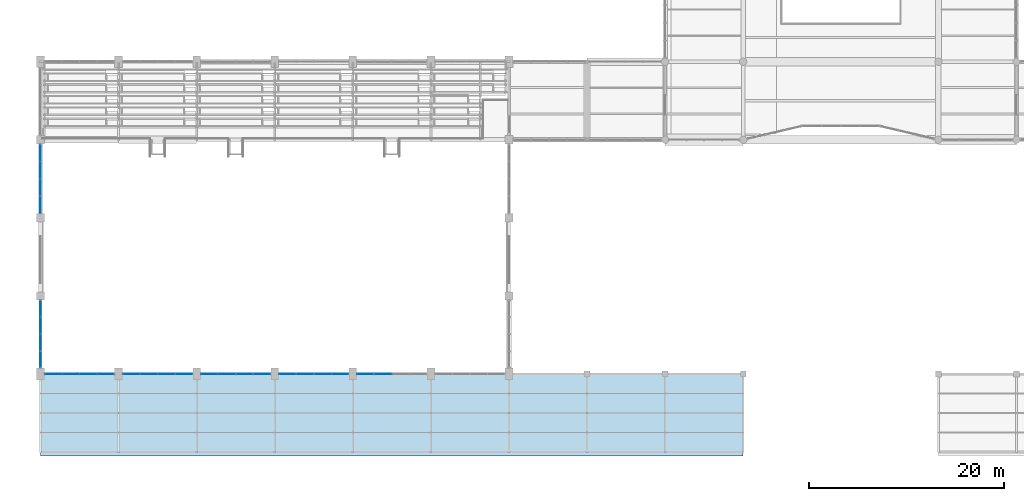
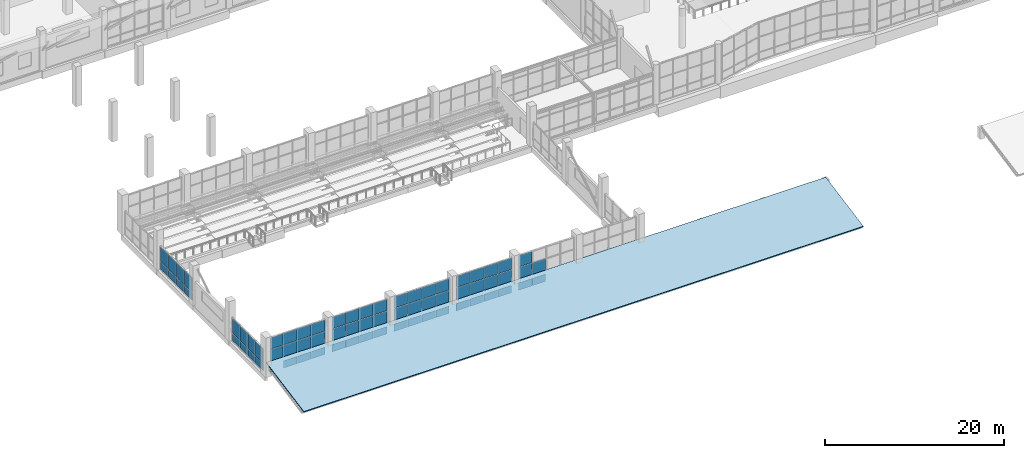
# One storey, part 70 of 122: 69 plates, 1 slab, 7 elements without a shape of their own.
"""IFC4 building model written with IfcOpenShell, lengths in metres."""

from ifc_helpers import new_model, si_unit, direction, frame, origin, origin_2d, place, context, subcontext, project, spatial, polyline, rectangle, outline, extrude, material, layer, layer_set, type_object, element, aggregate, save


model = new_model("IFC4")

# Units and contexts
model_context = context("Model", 3, precision=1e-05, world=origin(), true_north=direction((0.0, 1.0)))
body_context = subcontext(model_context, "Body", "Model", "MODEL_VIEW")
ifc_project = project(units=[si_unit("LENGTHUNIT", "METRE"), si_unit("AREAUNIT", "SQUARE_METRE"), si_unit("VOLUMEUNIT", "CUBIC_METRE"), si_unit("PLANEANGLEUNIT", "RADIAN"), si_unit("MASSUNIT", "GRAM", prefix="KILO")], contexts=[model_context])

# Site, building, storey
site_placement = place(None, origin())
site = spatial("IfcSite", under=ifc_project, at=site_placement, CompositionType="ELEMENT")
building_placement = place(site_placement, origin())
building = spatial("IfcBuilding", under=site, at=building_placement, Name="Tenunan Teduh Sports Hall", CompositionType="ELEMENT")
storey_placement = place(building_placement, frame((0.0, 0.0, 5.39990234375)))
storey = spatial("IfcBuildingStorey", under=building, at=storey_placement, Name="L01", CompositionType="ELEMENT", Elevation=5.39990234375)

# Curtain wall, plates
ifc_material_1 = material(Name="Anodised aluminium", Category="aluminium")
curtain_wall_type = type_object("IfcCurtainWallType", Name="CW-UNIT-1", PredefinedType="NOTDEFINED", material=ifc_material_1)
curtain_wall_1_placement = place(storey_placement, origin())
curtain_wall_1 = element("IfcCurtainWall", 1, at=curtain_wall_1_placement, inside=storey, type_object=curtain_wall_type, Name="CW-CWM-200-L01-040", PredefinedType="NOTDEFINED")
ifc_material_2 = material(Name="Low-E laminated double glazing", Category="glass")
ifc_layer_1 = layer(ifc_material_2, 0.028076171875)
ifc_layer_set_1 = layer_set([ifc_layer_1], Name="Low-E laminated double glazing")
plate_type_1 = type_object("IfcPlateType", Name="CWP-GLZ-28", PredefinedType="CURTAIN_PANEL", material=ifc_layer_set_1)
plate_1_placement = place(storey_placement, frame((7.3173828125, 14.0, 1.13525390625), z_axis=(0.0, 0.0, 1.0), x_axis=(1.0, 0.0, 0.0)))
plate_1 = element("IfcPlate", 2, at=plate_1_placement, type_object=plate_type_1, Name="CW-01 panel 1.2", PredefinedType="CURTAIN_PANEL", context=body_context, shape_type="SweptSolid", body=[
    extrude(rectangle(XDim=1.695068359375, YDim=0.028076171875, at=origin_2d()), origin(), (0.0, 0.0, 1.0), 2.030029296875),
])
plate_2_placement = place(storey_placement, frame((7.3173828125, 14.0, 3.235107421875), z_axis=(0.0, 0.0, 1.0), x_axis=(1.0, 0.0, 0.0)))
plate_2 = element("IfcPlate", 3, at=plate_2_placement, type_object=plate_type_1, Name="CW-01 panel 1.3", PredefinedType="CURTAIN_PANEL", context=body_context, shape_type="SweptSolid", body=[
    extrude(rectangle(XDim=1.695068359375, YDim=0.028076171875, at=origin_2d()), origin(), (0.0, 0.0, 1.0), 1.544921875),
])
plate_3_placement = place(storey_placement, frame((9.10009765625, 14.0, 1.13525390625), z_axis=(0.0, 0.0, 1.0), x_axis=(1.0, 0.0, 0.0)))
plate_3 = element("IfcPlate", 4, at=plate_3_placement, type_object=plate_type_1, Name="CW-01 panel 2.2", PredefinedType="CURTAIN_PANEL", context=body_context, shape_type="SweptSolid", body=[
    extrude(rectangle(XDim=1.72998046875, YDim=0.028076171875, at=origin_2d()), origin(), (0.0, 0.0, 1.0), 2.030029296875),
])
plate_4_placement = place(storey_placement, frame((9.10009765625, 14.0, 3.235107421875), z_axis=(0.0, 0.0, 1.0), x_axis=(1.0, 0.0, 0.0)))
plate_4 = element("IfcPlate", 5, at=plate_4_placement, type_object=plate_type_1, Name="CW-01 panel 2.3", PredefinedType="CURTAIN_PANEL", context=body_context, shape_type="SweptSolid", body=[
    extrude(rectangle(XDim=1.72998046875, YDim=0.028076171875, at=origin_2d()), origin(), (0.0, 0.0, 1.0), 1.544921875),
])
plate_5_placement = place(storey_placement, frame((10.89990234375, 14.0, 1.13525390625), z_axis=(0.0, 0.0, 1.0), x_axis=(1.0, 0.0, 0.0)))
plate_5 = element("IfcPlate", 6, at=plate_5_placement, type_object=plate_type_1, Name="CW-01 panel 3.2", PredefinedType="CURTAIN_PANEL", context=body_context, shape_type="SweptSolid", body=[
    extrude(rectangle(XDim=1.72998046875, YDim=0.028076171875, at=origin_2d()), origin(), (0.0, 0.0, 1.0), 2.030029296875),
])
plate_6_placement = place(storey_placement, frame((10.89990234375, 14.0, 3.235107421875), z_axis=(0.0, 0.0, 1.0), x_axis=(1.0, 0.0, 0.0)))
plate_6 = element("IfcPlate", 7, at=plate_6_placement, type_object=plate_type_1, Name="CW-01 panel 3.3", PredefinedType="CURTAIN_PANEL", context=body_context, shape_type="SweptSolid", body=[
    extrude(rectangle(XDim=1.72998046875, YDim=0.028076171875, at=origin_2d()), origin(), (0.0, 0.0, 1.0), 1.544921875),
])
plate_7_placement = place(storey_placement, frame((12.6826171875, 14.0, 1.13525390625), z_axis=(0.0, 0.0, 1.0), x_axis=(1.0, 0.0, 0.0)))
plate_7 = element("IfcPlate", 8, at=plate_7_placement, type_object=plate_type_1, Name="CW-01 panel 4.2", PredefinedType="CURTAIN_PANEL", context=body_context, shape_type="SweptSolid", body=[
    extrude(rectangle(XDim=1.695068359375, YDim=0.028076171875, at=origin_2d()), origin(), (0.0, 0.0, 1.0), 2.030029296875),
])
plate_8_placement = place(storey_placement, frame((12.6826171875, 14.0, 3.235107421875), z_axis=(0.0, 0.0, 1.0), x_axis=(1.0, 0.0, 0.0)))
plate_8 = element("IfcPlate", 9, at=plate_8_placement, type_object=plate_type_1, Name="CW-01 panel 4.3", PredefinedType="CURTAIN_PANEL", context=body_context, shape_type="SweptSolid", body=[
    extrude(rectangle(XDim=1.695068359375, YDim=0.028076171875, at=origin_2d()), origin(), (0.0, 0.0, 1.0), 1.544921875),
])

curtain_wall_2_placement = place(storey_placement, origin())
curtain_wall_2 = element("IfcCurtainWall", 10, at=curtain_wall_2_placement, inside=storey, type_object=curtain_wall_type, Name="CW-CWM-175-L01-042", PredefinedType="NOTDEFINED")
plate_9_placement = place(storey_placement, frame((15.316162109375, 14.0, 1.1328125), z_axis=(0.0, 0.0, 1.0), x_axis=(1.0, 0.0, 0.0)))
plate_9 = element("IfcPlate", 11, at=plate_9_placement, type_object=plate_type_1, Name="CW-01 panel 1.2", PredefinedType="CURTAIN_PANEL", context=body_context, shape_type="SweptSolid", body=[
    extrude(rectangle(XDim=1.702392578125, YDim=0.028076171875, at=origin_2d()), origin(), (0.0, 0.0, 1.0), 2.034912109375),
])
plate_10_placement = place(storey_placement, frame((15.316162109375, 14.0, 3.232421875), z_axis=(0.0, 0.0, 1.0), x_axis=(1.0, 0.0, 0.0)))
plate_10 = element("IfcPlate", 12, at=plate_10_placement, type_object=plate_type_1, Name="CW-01 panel 1.3", PredefinedType="CURTAIN_PANEL", context=body_context, shape_type="SweptSolid", body=[
    extrude(rectangle(XDim=1.702392578125, YDim=0.028076171875, at=origin_2d()), origin(), (0.0, 0.0, 1.0), 1.552490234375),
])
plate_11_placement = place(storey_placement, frame((17.10009765625, 14.0, 1.1328125), z_axis=(0.0, 0.0, 1.0), x_axis=(1.0, 0.0, 0.0)))
plate_11 = element("IfcPlate", 13, at=plate_11_placement, type_object=plate_type_1, Name="CW-01 panel 2.2", PredefinedType="CURTAIN_PANEL", context=body_context, shape_type="SweptSolid", body=[
    extrude(rectangle(XDim=1.735107421875, YDim=0.028076171875, at=origin_2d()), origin(), (0.0, 0.0, 1.0), 2.034912109375),
])
plate_12_placement = place(storey_placement, frame((17.10009765625, 14.0, 3.232421875), z_axis=(0.0, 0.0, 1.0), x_axis=(1.0, 0.0, 0.0)))
plate_12 = element("IfcPlate", 14, at=plate_12_placement, type_object=plate_type_1, Name="CW-01 panel 2.3", PredefinedType="CURTAIN_PANEL", context=body_context, shape_type="SweptSolid", body=[
    extrude(rectangle(XDim=1.735107421875, YDim=0.028076171875, at=origin_2d()), origin(), (0.0, 0.0, 1.0), 1.552490234375),
])
plate_13_placement = place(storey_placement, frame((18.89990234375, 14.0, 1.1328125), z_axis=(0.0, 0.0, 1.0), x_axis=(1.0, 0.0, 0.0)))
plate_13 = element("IfcPlate", 15, at=plate_13_placement, type_object=plate_type_1, Name="CW-01 panel 3.2", PredefinedType="CURTAIN_PANEL", context=body_context, shape_type="SweptSolid", body=[
    extrude(rectangle(XDim=1.735107421875, YDim=0.028076171875, at=origin_2d()), origin(), (0.0, 0.0, 1.0), 2.034912109375),
])
plate_14_placement = place(storey_placement, frame((18.89990234375, 14.0, 3.232421875), z_axis=(0.0, 0.0, 1.0), x_axis=(1.0, 0.0, 0.0)))
plate_14 = element("IfcPlate", 16, at=plate_14_placement, type_object=plate_type_1, Name="CW-01 panel 3.3", PredefinedType="CURTAIN_PANEL", context=body_context, shape_type="SweptSolid", body=[
    extrude(rectangle(XDim=1.735107421875, YDim=0.028076171875, at=origin_2d()), origin(), (0.0, 0.0, 1.0), 1.552490234375),
])
plate_15_placement = place(storey_placement, frame((20.683837890625, 14.0, 1.1328125), z_axis=(0.0, 0.0, 1.0), x_axis=(1.0, 0.0, 0.0)))
plate_15 = element("IfcPlate", 17, at=plate_15_placement, type_object=plate_type_1, Name="CW-01 panel 4.2", PredefinedType="CURTAIN_PANEL", context=body_context, shape_type="SweptSolid", body=[
    extrude(rectangle(XDim=1.702392578125, YDim=0.028076171875, at=origin_2d()), origin(), (0.0, 0.0, 1.0), 2.034912109375),
])
plate_16_placement = place(storey_placement, frame((20.683837890625, 14.0, 3.232421875), z_axis=(0.0, 0.0, 1.0), x_axis=(1.0, 0.0, 0.0)))
plate_16 = element("IfcPlate", 18, at=plate_16_placement, type_object=plate_type_1, Name="CW-01 panel 4.3", PredefinedType="CURTAIN_PANEL", context=body_context, shape_type="SweptSolid", body=[
    extrude(rectangle(XDim=1.702392578125, YDim=0.028076171875, at=origin_2d()), origin(), (0.0, 0.0, 1.0), 1.552490234375),
])

curtain_wall_3_placement = place(storey_placement, origin())
curtain_wall_3 = element("IfcCurtainWall", 19, at=curtain_wall_3_placement, inside=storey, type_object=curtain_wall_type, Name="CW-CWM-200-L01-044", PredefinedType="NOTDEFINED")
plate_17_placement = place(storey_placement, frame((23.3173828125, 14.0, 1.13525390625), z_axis=(0.0, 0.0, 1.0), x_axis=(1.0, 0.0, 0.0)))
plate_17 = element("IfcPlate", 20, at=plate_17_placement, type_object=plate_type_1, Name="CW-01 panel 1.2", PredefinedType="CURTAIN_PANEL", context=body_context, shape_type="SweptSolid", body=[
    extrude(rectangle(XDim=1.695068359375, YDim=0.028076171875, at=origin_2d()), origin(), (0.0, 0.0, 1.0), 2.030029296875),
])
plate_18_placement = place(storey_placement, frame((23.3173828125, 14.0, 3.235107421875), z_axis=(0.0, 0.0, 1.0), x_axis=(1.0, 0.0, 0.0)))
plate_18 = element("IfcPlate", 21, at=plate_18_placement, type_object=plate_type_1, Name="CW-01 panel 1.3", PredefinedType="CURTAIN_PANEL", context=body_context, shape_type="SweptSolid", body=[
    extrude(rectangle(XDim=1.695068359375, YDim=0.028076171875, at=origin_2d()), origin(), (0.0, 0.0, 1.0), 1.544921875),
])
plate_19_placement = place(storey_placement, frame((25.10009765625, 14.0, 1.13525390625), z_axis=(0.0, 0.0, 1.0), x_axis=(1.0, 0.0, 0.0)))
plate_19 = element("IfcPlate", 22, at=plate_19_placement, type_object=plate_type_1, Name="CW-01 panel 2.2", PredefinedType="CURTAIN_PANEL", context=body_context, shape_type="SweptSolid", body=[
    extrude(rectangle(XDim=1.72998046875, YDim=0.028076171875, at=origin_2d()), origin(), (0.0, 0.0, 1.0), 2.030029296875),
])
plate_20_placement = place(storey_placement, frame((25.10009765625, 14.0, 3.235107421875), z_axis=(0.0, 0.0, 1.0), x_axis=(1.0, 0.0, 0.0)))
plate_20 = element("IfcPlate", 23, at=plate_20_placement, type_object=plate_type_1, Name="CW-01 panel 2.3", PredefinedType="CURTAIN_PANEL", context=body_context, shape_type="SweptSolid", body=[
    extrude(rectangle(XDim=1.72998046875, YDim=0.028076171875, at=origin_2d()), origin(), (0.0, 0.0, 1.0), 1.544921875),
])
plate_21_placement = place(storey_placement, frame((26.89990234375, 14.0, 1.13525390625), z_axis=(0.0, 0.0, 1.0), x_axis=(1.0, 0.0, 0.0)))
plate_21 = element("IfcPlate", 24, at=plate_21_placement, type_object=plate_type_1, Name="CW-01 panel 3.2", PredefinedType="CURTAIN_PANEL", context=body_context, shape_type="SweptSolid", body=[
    extrude(rectangle(XDim=1.72998046875, YDim=0.028076171875, at=origin_2d()), origin(), (0.0, 0.0, 1.0), 2.030029296875),
])
plate_22_placement = place(storey_placement, frame((26.89990234375, 14.0, 3.235107421875), z_axis=(0.0, 0.0, 1.0), x_axis=(1.0, 0.0, 0.0)))
plate_22 = element("IfcPlate", 25, at=plate_22_placement, type_object=plate_type_1, Name="CW-01 panel 3.3", PredefinedType="CURTAIN_PANEL", context=body_context, shape_type="SweptSolid", body=[
    extrude(rectangle(XDim=1.72998046875, YDim=0.028076171875, at=origin_2d()), origin(), (0.0, 0.0, 1.0), 1.544921875),
])
plate_23_placement = place(storey_placement, frame((28.6826171875, 14.0, 1.13525390625), z_axis=(0.0, 0.0, 1.0), x_axis=(1.0, 0.0, 0.0)))
plate_23 = element("IfcPlate", 26, at=plate_23_placement, type_object=plate_type_1, Name="CW-01 panel 4.2", PredefinedType="CURTAIN_PANEL", context=body_context, shape_type="SweptSolid", body=[
    extrude(rectangle(XDim=1.695068359375, YDim=0.028076171875, at=origin_2d()), origin(), (0.0, 0.0, 1.0), 2.030029296875),
])
plate_24_placement = place(storey_placement, frame((28.6826171875, 14.0, 3.235107421875), z_axis=(0.0, 0.0, 1.0), x_axis=(1.0, 0.0, 0.0)))
plate_24 = element("IfcPlate", 27, at=plate_24_placement, type_object=plate_type_1, Name="CW-01 panel 4.3", PredefinedType="CURTAIN_PANEL", context=body_context, shape_type="SweptSolid", body=[
    extrude(rectangle(XDim=1.695068359375, YDim=0.028076171875, at=origin_2d()), origin(), (0.0, 0.0, 1.0), 1.544921875),
])

curtain_wall_4_placement = place(storey_placement, origin())
curtain_wall_4 = element("IfcCurtainWall", 28, at=curtain_wall_4_placement, inside=storey, type_object=curtain_wall_type, Name="CW-CWM-175-L01-046", PredefinedType="NOTDEFINED")
plate_25_placement = place(storey_placement, frame((31.316162109375, 14.0, 1.1328125), z_axis=(0.0, 0.0, 1.0), x_axis=(1.0, 0.0, 0.0)))
plate_25 = element("IfcPlate", 29, at=plate_25_placement, type_object=plate_type_1, Name="CW-01 panel 1.2", PredefinedType="CURTAIN_PANEL", context=body_context, shape_type="SweptSolid", body=[
    extrude(rectangle(XDim=1.702392578125, YDim=0.028076171875, at=origin_2d()), origin(), (0.0, 0.0, 1.0), 2.034912109375),
])
plate_26_placement = place(storey_placement, frame((31.316162109375, 14.0, 3.232421875), z_axis=(0.0, 0.0, 1.0), x_axis=(1.0, 0.0, 0.0)))
plate_26 = element("IfcPlate", 30, at=plate_26_placement, type_object=plate_type_1, Name="CW-01 panel 1.3", PredefinedType="CURTAIN_PANEL", context=body_context, shape_type="SweptSolid", body=[
    extrude(rectangle(XDim=1.702392578125, YDim=0.028076171875, at=origin_2d()), origin(), (0.0, 0.0, 1.0), 1.552490234375),
])
plate_27_placement = place(storey_placement, frame((33.10009765625, 14.0, 1.1328125), z_axis=(0.0, 0.0, 1.0), x_axis=(1.0, 0.0, 0.0)))
plate_27 = element("IfcPlate", 31, at=plate_27_placement, type_object=plate_type_1, Name="CW-01 panel 2.2", PredefinedType="CURTAIN_PANEL", context=body_context, shape_type="SweptSolid", body=[
    extrude(rectangle(XDim=1.735107421875, YDim=0.028076171875, at=origin_2d()), origin(), (0.0, 0.0, 1.0), 2.034912109375),
])
plate_28_placement = place(storey_placement, frame((33.10009765625, 14.0, 3.232421875), z_axis=(0.0, 0.0, 1.0), x_axis=(1.0, 0.0, 0.0)))
plate_28 = element("IfcPlate", 32, at=plate_28_placement, type_object=plate_type_1, Name="CW-01 panel 2.3", PredefinedType="CURTAIN_PANEL", context=body_context, shape_type="SweptSolid", body=[
    extrude(rectangle(XDim=1.735107421875, YDim=0.028076171875, at=origin_2d()), origin(), (0.0, 0.0, 1.0), 1.552490234375),
])
plate_29_placement = place(storey_placement, frame((34.89990234375, 14.0, 1.1328125), z_axis=(0.0, 0.0, 1.0), x_axis=(1.0, 0.0, 0.0)))
plate_29 = element("IfcPlate", 33, at=plate_29_placement, type_object=plate_type_1, Name="CW-01 panel 3.2", PredefinedType="CURTAIN_PANEL", context=body_context, shape_type="SweptSolid", body=[
    extrude(rectangle(XDim=1.735107421875, YDim=0.028076171875, at=origin_2d()), origin(), (0.0, 0.0, 1.0), 2.034912109375),
])
plate_30_placement = place(storey_placement, frame((34.89990234375, 14.0, 3.232421875), z_axis=(0.0, 0.0, 1.0), x_axis=(1.0, 0.0, 0.0)))
plate_30 = element("IfcPlate", 34, at=plate_30_placement, type_object=plate_type_1, Name="CW-01 panel 3.3", PredefinedType="CURTAIN_PANEL", context=body_context, shape_type="SweptSolid", body=[
    extrude(rectangle(XDim=1.735107421875, YDim=0.028076171875, at=origin_2d()), origin(), (0.0, 0.0, 1.0), 1.552490234375),
])
plate_31_placement = place(storey_placement, frame((36.683837890625, 14.0, 1.1328125), z_axis=(0.0, 0.0, 1.0), x_axis=(1.0, 0.0, 0.0)))
plate_31 = element("IfcPlate", 35, at=plate_31_placement, type_object=plate_type_1, Name="CW-01 panel 4.2", PredefinedType="CURTAIN_PANEL", context=body_context, shape_type="SweptSolid", body=[
    extrude(rectangle(XDim=1.702392578125, YDim=0.028076171875, at=origin_2d()), origin(), (0.0, 0.0, 1.0), 2.034912109375),
])
plate_32_placement = place(storey_placement, frame((36.683837890625, 14.0, 3.232421875), z_axis=(0.0, 0.0, 1.0), x_axis=(1.0, 0.0, 0.0)))
plate_32 = element("IfcPlate", 36, at=plate_32_placement, type_object=plate_type_1, Name="CW-01 panel 4.3", PredefinedType="CURTAIN_PANEL", context=body_context, shape_type="SweptSolid", body=[
    extrude(rectangle(XDim=1.702392578125, YDim=0.028076171875, at=origin_2d()), origin(), (0.0, 0.0, 1.0), 1.552490234375),
])

curtain_wall_5_placement = place(storey_placement, origin())
curtain_wall_5 = element("IfcCurtainWall", 37, at=curtain_wall_5_placement, inside=storey, type_object=curtain_wall_type, Name="CW-CWM-200-L01-048", PredefinedType="NOTDEFINED")
plate_33_placement = place(storey_placement, frame((39.3173828125, 14.0, 1.13525390625), z_axis=(0.0, 0.0, 1.0), x_axis=(1.0, 0.0, 0.0)))
plate_33 = element("IfcPlate", 38, at=plate_33_placement, type_object=plate_type_1, Name="CW-01 panel 1.2", PredefinedType="CURTAIN_PANEL", context=body_context, shape_type="SweptSolid", body=[
    extrude(rectangle(XDim=1.695068359375, YDim=0.028076171875, at=origin_2d()), origin(), (0.0, 0.0, 1.0), 2.030029296875),
])
plate_34_placement = place(storey_placement, frame((39.3173828125, 14.0, 3.235107421875), z_axis=(0.0, 0.0, 1.0), x_axis=(1.0, 0.0, 0.0)))
plate_34 = element("IfcPlate", 39, at=plate_34_placement, type_object=plate_type_1, Name="CW-01 panel 1.3", PredefinedType="CURTAIN_PANEL", context=body_context, shape_type="SweptSolid", body=[
    extrude(rectangle(XDim=1.695068359375, YDim=0.028076171875, at=origin_2d()), origin(), (0.0, 0.0, 1.0), 1.544921875),
])
plate_35_placement = place(storey_placement, frame((41.10009765625, 14.0, 1.13525390625), z_axis=(0.0, 0.0, 1.0), x_axis=(1.0, 0.0, 0.0)))
plate_35 = element("IfcPlate", 40, at=plate_35_placement, type_object=plate_type_1, Name="CW-01 panel 2.2", PredefinedType="CURTAIN_PANEL", context=body_context, shape_type="SweptSolid", body=[
    extrude(rectangle(XDim=1.72998046875, YDim=0.028076171875, at=origin_2d()), origin(), (0.0, 0.0, 1.0), 2.030029296875),
])

curtain_wall_6_placement = place(storey_placement, origin())
curtain_wall_6 = element("IfcCurtainWall", 41, at=curtain_wall_6_placement, inside=storey, type_object=curtain_wall_type, Name="CW-CWM-200-L01-052", PredefinedType="NOTDEFINED")
plate_36_placement = place(storey_placement, frame((6.0, 15.4892578125, 1.135009765625), z_axis=(0.0, 0.0, 1.0), x_axis=(0.0, 1.0, 0.0)))
plate_36 = element("IfcPlate", 42, at=plate_36_placement, type_object=plate_type_1, Name="CW-01 panel 1.2", PredefinedType="CURTAIN_PANEL", context=body_context, shape_type="SweptSolid", body=[
    extrude(rectangle(XDim=1.638671875, YDim=0.028076171875, at=origin_2d()), origin(), (0.0, 0.0, 1.0), 1.9951171875),
])
plate_37_placement = place(storey_placement, frame((6.0, 17.215576171875, 1.135009765625), z_axis=(0.0, 0.0, 1.0), x_axis=(0.0, 1.0, 0.0)))
plate_37 = element("IfcPlate", 43, at=plate_37_placement, type_object=plate_type_1, Name="CW-01 panel 2.2", PredefinedType="CURTAIN_PANEL", context=body_context, shape_type="SweptSolid", body=[
    extrude(rectangle(XDim=1.673828125, YDim=0.028076171875, at=origin_2d()), origin(), (0.0, 0.0, 1.0), 1.9951171875),
])
plate_38_placement = place(storey_placement, frame((6.0, 18.95947265625, 1.135009765625), z_axis=(0.0, 0.0, 1.0), x_axis=(0.0, 1.0, 0.0)))
plate_38 = element("IfcPlate", 44, at=plate_38_placement, type_object=plate_type_1, Name="CW-01 panel 3.2", PredefinedType="CURTAIN_PANEL", context=body_context, shape_type="SweptSolid", body=[
    extrude(rectangle(XDim=1.673828125, YDim=0.028076171875, at=origin_2d()), origin(), (0.0, 0.0, 1.0), 1.9951171875),
])
plate_39_placement = place(storey_placement, frame((6.0, 20.685546875, 1.135009765625), z_axis=(0.0, 0.0, 1.0), x_axis=(0.0, 1.0, 0.0)))
plate_39 = element("IfcPlate", 45, at=plate_39_placement, type_object=plate_type_1, Name="CW-01 panel 4.2", PredefinedType="CURTAIN_PANEL", context=body_context, shape_type="SweptSolid", body=[
    extrude(rectangle(XDim=1.638671875, YDim=0.028076171875, at=origin_2d()), origin(), (0.0, 0.0, 1.0), 1.9951171875),
])

curtain_wall_7_placement = place(storey_placement, origin())
curtain_wall_7 = element("IfcCurtainWall", 46, at=curtain_wall_7_placement, inside=storey, type_object=curtain_wall_type, Name="CW-CWM-175-L01-054", PredefinedType="NOTDEFINED")
plate_40_placement = place(storey_placement, frame((6.0, 31.3349609375, 1.132568359375), z_axis=(0.0, 0.0, 1.0), x_axis=(0.0, 1.0, 0.0)))
plate_40 = element("IfcPlate", 47, at=plate_40_placement, type_object=plate_type_1, Name="CW-01 panel 1.2", PredefinedType="CURTAIN_PANEL", context=body_context, shape_type="SweptSolid", body=[
    extrude(rectangle(XDim=1.68994140625, YDim=0.028076171875, at=origin_2d()), origin(), (0.0, 0.0, 1.0), 2.00244140625),
])
plate_41_placement = place(storey_placement, frame((6.0, 33.106201171875, 1.132568359375), z_axis=(0.0, 0.0, 1.0), x_axis=(0.0, 1.0, 0.0)))
plate_41 = element("IfcPlate", 48, at=plate_41_placement, type_object=plate_type_1, Name="CW-01 panel 2.2", PredefinedType="CURTAIN_PANEL", context=body_context, shape_type="SweptSolid", body=[
    extrude(rectangle(XDim=1.722412109375, YDim=0.028076171875, at=origin_2d()), origin(), (0.0, 0.0, 1.0), 2.00244140625),
])
plate_42_placement = place(storey_placement, frame((6.0, 34.893798828125, 1.132568359375), z_axis=(0.0, 0.0, 1.0), x_axis=(0.0, 1.0, 0.0)))
plate_42 = element("IfcPlate", 49, at=plate_42_placement, type_object=plate_type_1, Name="CW-01 panel 3.2", PredefinedType="CURTAIN_PANEL", context=body_context, shape_type="SweptSolid", body=[
    extrude(rectangle(XDim=1.722412109375, YDim=0.028076171875, at=origin_2d()), origin(), (0.0, 0.0, 1.0), 2.00244140625),
])
plate_43_placement = place(storey_placement, frame((6.0, 36.6650390625, 1.132568359375), z_axis=(0.0, 0.0, 1.0), x_axis=(0.0, 1.0, 0.0)))
plate_43 = element("IfcPlate", 50, at=plate_43_placement, type_object=plate_type_1, Name="CW-01 panel 4.2", PredefinedType="CURTAIN_PANEL", context=body_context, shape_type="SweptSolid", body=[
    extrude(rectangle(XDim=1.68994140625, YDim=0.028076171875, at=origin_2d()), origin(), (0.0, 0.0, 1.0), 2.00244140625),
])

# Plate
ifc_material_3 = material(Name="Insulated aluminium spandrel panel", Category="aluminium")
ifc_layer_2 = layer(ifc_material_3, 0.044921875)
ifc_layer_set_2 = layer_set([ifc_layer_2], Name="Insulated aluminium spandrel panel")
plate_type_2 = type_object("IfcPlateType", Name="CWP-SPN-45", PredefinedType="CURTAIN_PANEL", material=ifc_layer_set_2)
plate_44_placement = place(storey_placement, frame((7.3173828125, 14.0, 0.070068359375), z_axis=(0.0, 0.0, 1.0), x_axis=(1.0, 0.0, 0.0)))
plate_44 = element("IfcPlate", 51, at=plate_44_placement, type_object=plate_type_2, Name="CW-01 panel 1.1", PredefinedType="CURTAIN_PANEL", context=body_context, shape_type="SweptSolid", body=[
    extrude(rectangle(XDim=1.695068359375, YDim=0.028076171875, at=origin_2d()), origin(), (0.0, 0.0, 1.0), 0.9951171875),
])

plate_45_placement = place(storey_placement, frame((9.10009765625, 14.0, 0.070068359375), z_axis=(0.0, 0.0, 1.0), x_axis=(1.0, 0.0, 0.0)))
plate_45 = element("IfcPlate", 52, at=plate_45_placement, type_object=plate_type_2, Name="CW-01 panel 2.1", PredefinedType="CURTAIN_PANEL", context=body_context, shape_type="SweptSolid", body=[
    extrude(rectangle(XDim=1.72998046875, YDim=0.028076171875, at=origin_2d()), origin(), (0.0, 0.0, 1.0), 0.9951171875),
])

plate_46_placement = place(storey_placement, frame((10.89990234375, 14.0, 0.070068359375), z_axis=(0.0, 0.0, 1.0), x_axis=(1.0, 0.0, 0.0)))
plate_46 = element("IfcPlate", 53, at=plate_46_placement, type_object=plate_type_2, Name="CW-01 panel 3.1", PredefinedType="CURTAIN_PANEL", context=body_context, shape_type="SweptSolid", body=[
    extrude(rectangle(XDim=1.72998046875, YDim=0.028076171875, at=origin_2d()), origin(), (0.0, 0.0, 1.0), 0.9951171875),
])

plate_47_placement = place(storey_placement, frame((12.6826171875, 14.0, 0.070068359375), z_axis=(0.0, 0.0, 1.0), x_axis=(1.0, 0.0, 0.0)))
plate_47 = element("IfcPlate", 54, at=plate_47_placement, type_object=plate_type_2, Name="CW-01 panel 4.1", PredefinedType="CURTAIN_PANEL", context=body_context, shape_type="SweptSolid", body=[
    extrude(rectangle(XDim=1.695068359375, YDim=0.028076171875, at=origin_2d()), origin(), (0.0, 0.0, 1.0), 0.9951171875),
])

aggregate(curtain_wall_1, [plate_44, plate_1, plate_2, plate_45, plate_3, plate_4, plate_46, plate_5, plate_6, plate_47, plate_7, plate_8])

plate_48_placement = place(storey_placement, frame((15.316162109375, 14.0, 0.065185546875), z_axis=(0.0, 0.0, 1.0), x_axis=(1.0, 0.0, 0.0)))
plate_48 = element("IfcPlate", 55, at=plate_48_placement, type_object=plate_type_2, Name="CW-01 panel 1.1", PredefinedType="CURTAIN_PANEL", context=body_context, shape_type="SweptSolid", body=[
    extrude(rectangle(XDim=1.702392578125, YDim=0.028076171875, at=origin_2d()), origin(), (0.0, 0.0, 1.0), 1.00244140625),
])

plate_49_placement = place(storey_placement, frame((17.10009765625, 14.0, 0.065185546875), z_axis=(0.0, 0.0, 1.0), x_axis=(1.0, 0.0, 0.0)))
plate_49 = element("IfcPlate", 56, at=plate_49_placement, type_object=plate_type_2, Name="CW-01 panel 2.1", PredefinedType="CURTAIN_PANEL", context=body_context, shape_type="SweptSolid", body=[
    extrude(rectangle(XDim=1.735107421875, YDim=0.028076171875, at=origin_2d()), origin(), (0.0, 0.0, 1.0), 1.00244140625),
])

plate_50_placement = place(storey_placement, frame((18.89990234375, 14.0, 0.065185546875), z_axis=(0.0, 0.0, 1.0), x_axis=(1.0, 0.0, 0.0)))
plate_50 = element("IfcPlate", 57, at=plate_50_placement, type_object=plate_type_2, Name="CW-01 panel 3.1", PredefinedType="CURTAIN_PANEL", context=body_context, shape_type="SweptSolid", body=[
    extrude(rectangle(XDim=1.735107421875, YDim=0.028076171875, at=origin_2d()), origin(), (0.0, 0.0, 1.0), 1.00244140625),
])

plate_51_placement = place(storey_placement, frame((20.683837890625, 14.0, 0.065185546875), z_axis=(0.0, 0.0, 1.0), x_axis=(1.0, 0.0, 0.0)))
plate_51 = element("IfcPlate", 58, at=plate_51_placement, type_object=plate_type_2, Name="CW-01 panel 4.1", PredefinedType="CURTAIN_PANEL", context=body_context, shape_type="SweptSolid", body=[
    extrude(rectangle(XDim=1.702392578125, YDim=0.028076171875, at=origin_2d()), origin(), (0.0, 0.0, 1.0), 1.00244140625),
])

aggregate(curtain_wall_2, [plate_48, plate_9, plate_10, plate_49, plate_11, plate_12, plate_50, plate_13, plate_14, plate_51, plate_15, plate_16])

plate_52_placement = place(storey_placement, frame((23.3173828125, 14.0, 0.070068359375), z_axis=(0.0, 0.0, 1.0), x_axis=(1.0, 0.0, 0.0)))
plate_52 = element("IfcPlate", 59, at=plate_52_placement, type_object=plate_type_2, Name="CW-01 panel 1.1", PredefinedType="CURTAIN_PANEL", context=body_context, shape_type="SweptSolid", body=[
    extrude(rectangle(XDim=1.695068359375, YDim=0.028076171875, at=origin_2d()), origin(), (0.0, 0.0, 1.0), 0.9951171875),
])

plate_53_placement = place(storey_placement, frame((25.10009765625, 14.0, 0.070068359375), z_axis=(0.0, 0.0, 1.0), x_axis=(1.0, 0.0, 0.0)))
plate_53 = element("IfcPlate", 60, at=plate_53_placement, type_object=plate_type_2, Name="CW-01 panel 2.1", PredefinedType="CURTAIN_PANEL", context=body_context, shape_type="SweptSolid", body=[
    extrude(rectangle(XDim=1.72998046875, YDim=0.028076171875, at=origin_2d()), origin(), (0.0, 0.0, 1.0), 0.9951171875),
])

plate_54_placement = place(storey_placement, frame((26.89990234375, 14.0, 0.070068359375), z_axis=(0.0, 0.0, 1.0), x_axis=(1.0, 0.0, 0.0)))
plate_54 = element("IfcPlate", 61, at=plate_54_placement, type_object=plate_type_2, Name="CW-01 panel 3.1", PredefinedType="CURTAIN_PANEL", context=body_context, shape_type="SweptSolid", body=[
    extrude(rectangle(XDim=1.72998046875, YDim=0.028076171875, at=origin_2d()), origin(), (0.0, 0.0, 1.0), 0.9951171875),
])

plate_55_placement = place(storey_placement, frame((28.6826171875, 14.0, 0.070068359375), z_axis=(0.0, 0.0, 1.0), x_axis=(1.0, 0.0, 0.0)))
plate_55 = element("IfcPlate", 62, at=plate_55_placement, type_object=plate_type_2, Name="CW-01 panel 4.1", PredefinedType="CURTAIN_PANEL", context=body_context, shape_type="SweptSolid", body=[
    extrude(rectangle(XDim=1.695068359375, YDim=0.028076171875, at=origin_2d()), origin(), (0.0, 0.0, 1.0), 0.9951171875),
])

aggregate(curtain_wall_3, [plate_52, plate_17, plate_18, plate_53, plate_19, plate_20, plate_54, plate_21, plate_22, plate_55, plate_23, plate_24])

plate_56_placement = place(storey_placement, frame((31.316162109375, 14.0, 0.065185546875), z_axis=(0.0, 0.0, 1.0), x_axis=(1.0, 0.0, 0.0)))
plate_56 = element("IfcPlate", 63, at=plate_56_placement, type_object=plate_type_2, Name="CW-01 panel 1.1", PredefinedType="CURTAIN_PANEL", context=body_context, shape_type="SweptSolid", body=[
    extrude(rectangle(XDim=1.702392578125, YDim=0.028076171875, at=origin_2d()), origin(), (0.0, 0.0, 1.0), 1.00244140625),
])

plate_57_placement = place(storey_placement, frame((33.10009765625, 14.0, 0.065185546875), z_axis=(0.0, 0.0, 1.0), x_axis=(1.0, 0.0, 0.0)))
plate_57 = element("IfcPlate", 64, at=plate_57_placement, type_object=plate_type_2, Name="CW-01 panel 2.1", PredefinedType="CURTAIN_PANEL", context=body_context, shape_type="SweptSolid", body=[
    extrude(rectangle(XDim=1.735107421875, YDim=0.028076171875, at=origin_2d()), origin(), (0.0, 0.0, 1.0), 1.00244140625),
])

plate_58_placement = place(storey_placement, frame((34.89990234375, 14.0, 0.065185546875), z_axis=(0.0, 0.0, 1.0), x_axis=(1.0, 0.0, 0.0)))
plate_58 = element("IfcPlate", 65, at=plate_58_placement, type_object=plate_type_2, Name="CW-01 panel 3.1", PredefinedType="CURTAIN_PANEL", context=body_context, shape_type="SweptSolid", body=[
    extrude(rectangle(XDim=1.735107421875, YDim=0.028076171875, at=origin_2d()), origin(), (0.0, 0.0, 1.0), 1.00244140625),
])

plate_59_placement = place(storey_placement, frame((36.683837890625, 14.0, 0.065185546875), z_axis=(0.0, 0.0, 1.0), x_axis=(1.0, 0.0, 0.0)))
plate_59 = element("IfcPlate", 66, at=plate_59_placement, type_object=plate_type_2, Name="CW-01 panel 4.1", PredefinedType="CURTAIN_PANEL", context=body_context, shape_type="SweptSolid", body=[
    extrude(rectangle(XDim=1.702392578125, YDim=0.028076171875, at=origin_2d()), origin(), (0.0, 0.0, 1.0), 1.00244140625),
])

aggregate(curtain_wall_4, [plate_56, plate_25, plate_26, plate_57, plate_27, plate_28, plate_58, plate_29, plate_30, plate_59, plate_31, plate_32])

plate_60_placement = place(storey_placement, frame((39.3173828125, 14.0, 0.070068359375), z_axis=(0.0, 0.0, 1.0), x_axis=(1.0, 0.0, 0.0)))
plate_60 = element("IfcPlate", 67, at=plate_60_placement, type_object=plate_type_2, Name="CW-01 panel 1.1", PredefinedType="CURTAIN_PANEL", context=body_context, shape_type="SweptSolid", body=[
    extrude(rectangle(XDim=1.695068359375, YDim=0.028076171875, at=origin_2d()), origin(), (0.0, 0.0, 1.0), 0.9951171875),
])

plate_61_placement = place(storey_placement, frame((41.10009765625, 14.0, 0.070068359375), z_axis=(0.0, 0.0, 1.0), x_axis=(1.0, 0.0, 0.0)))
plate_61 = element("IfcPlate", 68, at=plate_61_placement, type_object=plate_type_2, Name="CW-01 panel 2.1", PredefinedType="CURTAIN_PANEL", context=body_context, shape_type="SweptSolid", body=[
    extrude(rectangle(XDim=1.72998046875, YDim=0.028076171875, at=origin_2d()), origin(), (0.0, 0.0, 1.0), 0.9951171875),
])

aggregate(curtain_wall_5, [plate_60, plate_33, plate_34, plate_61, plate_35])

plate_62_placement = place(storey_placement, frame((6.0, 15.4892578125, 0.070068359375), z_axis=(0.0, 0.0, 1.0), x_axis=(0.0, 1.0, 0.0)))
plate_62 = element("IfcPlate", 69, at=plate_62_placement, type_object=plate_type_2, Name="CW-01 panel 1.1", PredefinedType="CURTAIN_PANEL", context=body_context, shape_type="SweptSolid", body=[
    extrude(rectangle(XDim=1.638671875, YDim=0.028076171875, at=origin_2d()), origin(), (0.0, 0.0, 1.0), 0.9951171875),
])

plate_63_placement = place(storey_placement, frame((6.0, 17.215576171875, 0.070068359375), z_axis=(0.0, 0.0, 1.0), x_axis=(0.0, 1.0, 0.0)))
plate_63 = element("IfcPlate", 70, at=plate_63_placement, type_object=plate_type_2, Name="CW-01 panel 2.1", PredefinedType="CURTAIN_PANEL", context=body_context, shape_type="SweptSolid", body=[
    extrude(rectangle(XDim=1.673828125, YDim=0.028076171875, at=origin_2d()), origin(), (0.0, 0.0, 1.0), 0.9951171875),
])

plate_64_placement = place(storey_placement, frame((6.0, 18.95947265625, 0.070068359375), z_axis=(0.0, 0.0, 1.0), x_axis=(0.0, 1.0, 0.0)))
plate_64 = element("IfcPlate", 71, at=plate_64_placement, type_object=plate_type_2, Name="CW-01 panel 3.1", PredefinedType="CURTAIN_PANEL", context=body_context, shape_type="SweptSolid", body=[
    extrude(rectangle(XDim=1.673828125, YDim=0.028076171875, at=origin_2d()), origin(), (0.0, 0.0, 1.0), 0.9951171875),
])

plate_65_placement = place(storey_placement, frame((6.0, 20.685546875, 0.070068359375), z_axis=(0.0, 0.0, 1.0), x_axis=(0.0, 1.0, 0.0)))
plate_65 = element("IfcPlate", 72, at=plate_65_placement, type_object=plate_type_2, Name="CW-01 panel 4.1", PredefinedType="CURTAIN_PANEL", context=body_context, shape_type="SweptSolid", body=[
    extrude(rectangle(XDim=1.638671875, YDim=0.028076171875, at=origin_2d()), origin(), (0.0, 0.0, 1.0), 0.9951171875),
])

aggregate(curtain_wall_6, [plate_62, plate_36, plate_63, plate_37, plate_64, plate_38, plate_65, plate_39])

plate_66_placement = place(storey_placement, frame((6.0, 31.3349609375, 0.065185546875), z_axis=(0.0, 0.0, 1.0), x_axis=(0.0, 1.0, 0.0)))
plate_66 = element("IfcPlate", 73, at=plate_66_placement, type_object=plate_type_2, Name="CW-01 panel 1.1", PredefinedType="CURTAIN_PANEL", context=body_context, shape_type="SweptSolid", body=[
    extrude(rectangle(XDim=1.68994140625, YDim=0.028076171875, at=origin_2d()), origin(), (0.0, 0.0, 1.0), 1.00244140625),
])

plate_67_placement = place(storey_placement, frame((6.0, 33.106201171875, 0.065185546875), z_axis=(0.0, 0.0, 1.0), x_axis=(0.0, 1.0, 0.0)))
plate_67 = element("IfcPlate", 74, at=plate_67_placement, type_object=plate_type_2, Name="CW-01 panel 2.1", PredefinedType="CURTAIN_PANEL", context=body_context, shape_type="SweptSolid", body=[
    extrude(rectangle(XDim=1.722412109375, YDim=0.028076171875, at=origin_2d()), origin(), (0.0, 0.0, 1.0), 1.00244140625),
])

plate_68_placement = place(storey_placement, frame((6.0, 34.893798828125, 0.065185546875), z_axis=(0.0, 0.0, 1.0), x_axis=(0.0, 1.0, 0.0)))
plate_68 = element("IfcPlate", 75, at=plate_68_placement, type_object=plate_type_2, Name="CW-01 panel 3.1", PredefinedType="CURTAIN_PANEL", context=body_context, shape_type="SweptSolid", body=[
    extrude(rectangle(XDim=1.722412109375, YDim=0.028076171875, at=origin_2d()), origin(), (0.0, 0.0, 1.0), 1.00244140625),
])

plate_69_placement = place(storey_placement, frame((6.0, 36.6650390625, 0.065185546875), z_axis=(0.0, 0.0, 1.0), x_axis=(0.0, 1.0, 0.0)))
plate_69 = element("IfcPlate", 76, at=plate_69_placement, type_object=plate_type_2, Name="CW-01 panel 4.1", PredefinedType="CURTAIN_PANEL", context=body_context, shape_type="SweptSolid", body=[
    extrude(rectangle(XDim=1.68994140625, YDim=0.028076171875, at=origin_2d()), origin(), (0.0, 0.0, 1.0), 1.00244140625),
])

aggregate(curtain_wall_7, [plate_66, plate_40, plate_67, plate_41, plate_68, plate_42, plate_69, plate_43])

# Slab
ifc_material_4 = material(Name="Concrete C40/50", Category="concrete")
ifc_layer_3 = layer(ifc_material_4, 0.1298828125)
ifc_layer_set_3 = layer_set([ifc_layer_3], Name="Concrete C40/50")
slab_type = type_object("IfcSlabType", Name="SLB-ROOF-130", PredefinedType="ROOF", material=ifc_layer_set_3)
slab_placement = place(storey_placement, frame((6.0, 5.60009765625, 0.02001953125), z_axis=(0.0, -0.187125227727, 0.982336067315), x_axis=(1.0, 0.0, 0.0)))
element("IfcSlab", 77, at=slab_placement, inside=storey, type_object=slab_type, Name="SL-COL-SW", PredefinedType="ROOF", context=body_context, shape_type="SweptSolid", body=[
    extrude(outline(polyline([(0.0, 0.0), (72.0, 0.0), (72.0, 8.55094567250158), (0.0, 8.55094567250158), (0.0, 0.0)])), origin(), (0.0, 0.0, -1.0), 0.1298828125),
])

save(model, "model.ifc")
